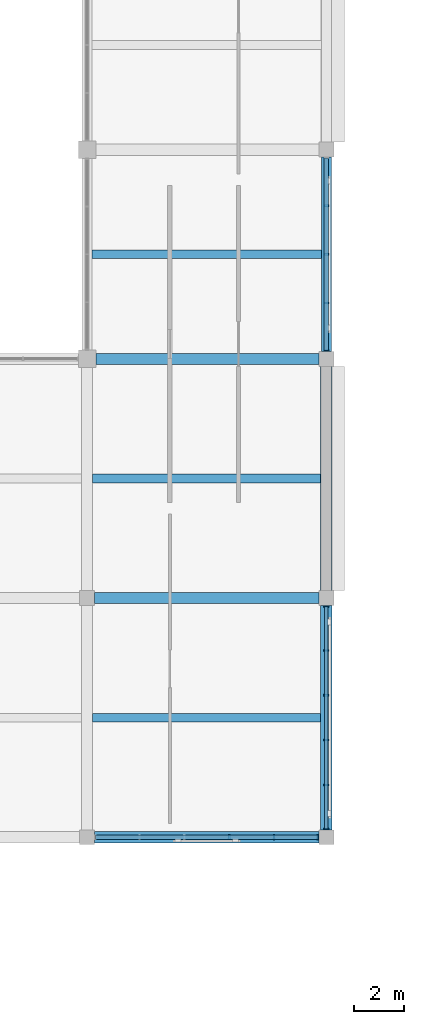
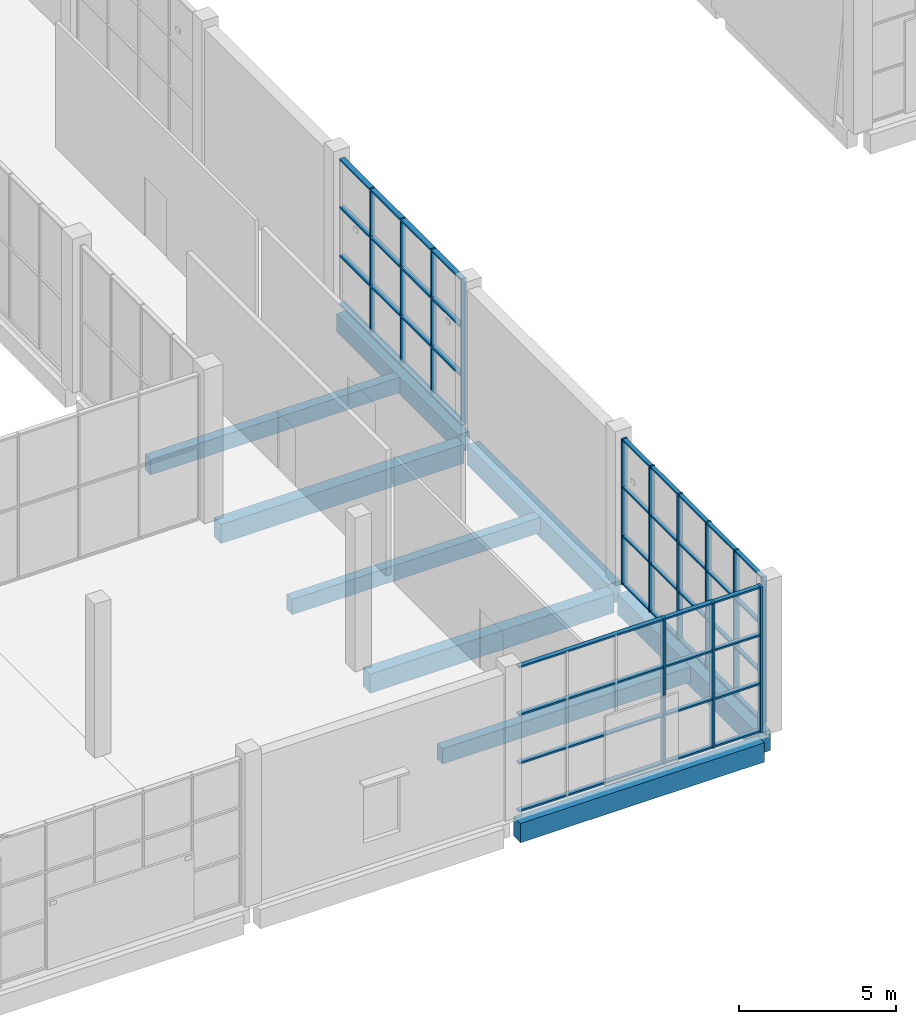
# One storey, part 21 of 84: 25 members, 9 beams, 3 elements without a shape of their own.
"""IFC4 building model written with IfcOpenShell, lengths in metres."""

from ifc_helpers import new_model, si_unit, direction, frame, origin, origin_2d, place, context, subcontext, project, spatial, rectangle, extrude, material, material_profile, profile_set, type_object, element, aggregate, save


model = new_model("IFC4")

# Units and contexts
model_context = context("Model", 3, precision=1e-05, world=origin(), true_north=direction((0.0, 1.0)))
body_context = subcontext(model_context, "Body", "Model", "MODEL_VIEW")
ifc_project = project(units=[si_unit("LENGTHUNIT", "METRE"), si_unit("AREAUNIT", "SQUARE_METRE"), si_unit("VOLUMEUNIT", "CUBIC_METRE"), si_unit("PLANEANGLEUNIT", "RADIAN"), si_unit("MASSUNIT", "GRAM", prefix="KILO")], contexts=[model_context])

# Site, building, storey
site_placement = place(None, origin())
site = spatial("IfcSite", under=ifc_project, at=site_placement, CompositionType="ELEMENT")
building_placement = place(site_placement, origin())
building = spatial("IfcBuilding", under=site, at=building_placement, Name="Shalvenor Court Art Gallery", CompositionType="ELEMENT")
storey_placement = place(building_placement, origin())
storey = spatial("IfcBuildingStorey", under=building, at=storey_placement, Name="L00", CompositionType="ELEMENT", Elevation=0.0)

# Beams
ifc_material_1 = material(Name="Concrete C40/50", Category="concrete")
ifc_material_profile_1 = material_profile(ifc_material_1, rectangle(XDim=0.449951171875, YDim=0.800048828125, at=origin_2d()), Name="RC 450x800")
ifc_profile_set_1 = profile_set([ifc_material_profile_1], Name="Concrete C40/50")
beam_type_1 = type_object("IfcBeamType", Name="B-03", PredefinedType="BEAM", material=ifc_profile_set_1)
for number, where, z_axis, x_axis, name in (
    (1, (38.39990234375, 69.89990234375, -0.739990234375), (0.0, 1.0, 0.0), (-1.0, 0.0, 0.0), "L00 Girder BM-L00-B-03-0035"),
    (2, (38.39990234375, 79.5, -0.739990234375), (0.0, 1.0, 0.0), (-1.0, 0.0, 0.0), "L00 Girder BM-L00-B-03-0036"),
):
    element("IfcBeam", number, at=place(storey_placement, frame(where, z_axis=z_axis, x_axis=x_axis)), inside=storey, type_object=beam_type_1, Name=name, PredefinedType="BEAM", context=body_context, shape_type="SweptSolid", body=[
        extrude(rectangle(XDim=0.449951171875, YDim=0.800048828125, at=origin_2d()), origin(), (0.0, 0.0, 1.0), 9.0),
    ])
ifc_material_2 = material(Name="Concrete C40/50", Category="concrete")
ifc_material_profile_2 = material_profile(ifc_material_2, rectangle(XDim=0.449951171875, YDim=0.75, at=origin_2d()), Name="RC 450x750")
ifc_profile_set_2 = profile_set([ifc_material_profile_2], Name="Concrete C40/50")
beam_type_2 = type_object("IfcBeamType", Name="B-04", PredefinedType="BEAM", material=ifc_profile_set_2)
for number, where, z_axis, x_axis, name in (
    (3, (29.10009765625, 69.60009765625, -0.715087890625), (1.0, 0.0, 0.0), (0.0, 1.0, 0.0), "L00 Girder BM-L00-B-04-0214"),
    (4, (29.10009765625, 79.199951171875, -0.715087890625), (1.0, 0.0, 0.0), (0.0, 1.0, 0.0), "L00 Girder BM-L00-B-04-0222"),
):
    element("IfcBeam", number, at=place(storey_placement, frame(where, z_axis=z_axis, x_axis=x_axis)), inside=storey, type_object=beam_type_2, Name=name, PredefinedType="BEAM", context=body_context, shape_type="SweptSolid", body=[
        extrude(rectangle(XDim=0.449951171875, YDim=0.75, at=origin_2d()), origin(), (0.0, 0.0, 1.0), 9.0),
    ])
beam_1_placement = place(storey_placement, frame((29.14990234375, 88.800048828125, -0.715087890625), z_axis=(1.0, 0.0, 0.0), x_axis=(0.0, 1.0, 0.0)))
element("IfcBeam", 5, at=beam_1_placement, inside=storey, type_object=beam_type_2, Name="L00 Girder BM-L00-B-04-0231", PredefinedType="BEAM", context=body_context, shape_type="SweptSolid", body=[
    extrude(rectangle(XDim=0.449951171875, YDim=0.75, at=origin_2d()), origin(), (0.0, 0.0, 1.0), 8.9501953125),
])
ifc_material_3 = material(Name="Concrete C40/50", Category="concrete")
ifc_material_profile_3 = material_profile(ifc_material_3, rectangle(XDim=0.39990234375, YDim=0.699951171875, at=origin_2d()), Name="RC 400x700")
ifc_profile_set_3 = profile_set([ifc_material_profile_3], Name="Concrete C40/50")
beam_type_3 = type_object("IfcBeamType", Name="B-05", PredefinedType="BEAM", material=ifc_profile_set_3)
beam_2_placement = place(storey_placement, frame((38.39990234375, 89.10009765625, -0.68994140625), z_axis=(0.0, 1.0, 0.0), x_axis=(-1.0, 0.0, 0.0)))
element("IfcBeam", 6, at=beam_2_placement, inside=storey, type_object=beam_type_3, Name="L00 Girder BM-L00-B-05-0037", PredefinedType="BEAM", context=body_context, shape_type="SweptSolid", body=[
    extrude(rectangle(XDim=0.39990234375, YDim=0.699951171875, at=origin_2d()), origin(), (0.0, 0.0, 1.0), 7.7998046875),
])

# Curtain wall, members
ifc_material_4 = material(Name="Anodised aluminium and low-iron glass curtain wall", Category="aluminium")
curtain_wall_type_1 = type_object("IfcCurtainWallType", Name="CW-4x3-78-57-141", PredefinedType="USERDEFINED", material=ifc_material_4)
curtain_wall_1_placement = place(storey_placement, origin())
curtain_wall_1 = element("IfcCurtainWall", 7, at=curtain_wall_1_placement, inside=storey, type_object=curtain_wall_type_1, Name="L00 V5 Curtain Wall CW-L00-152", ObjectType="CURTAIN WALL", PredefinedType="USERDEFINED")
ifc_material_5 = material(Name="Anodised aluminium mullion", Category="aluminium")
ifc_material_profile_4 = material_profile(ifc_material_5, rectangle(XDim=0.06494140625, YDim=0.179931640625, at=origin_2d()), Name="CWM-01")
ifc_profile_set_4 = profile_set([ifc_material_profile_4], Name="Anodised aluminium mullion")
member_type_1 = type_object("IfcMemberType", Name="CWM-01", PredefinedType="MULLION", material=ifc_profile_set_4)
member_1_placement = place(storey_placement, frame((38.39990234375, 94.949951171875, 0.0), z_axis=(0.0, 0.0, 1.0), x_axis=(0.0, -1.0, 0.0)))
member_1 = element("IfcMember", 8, at=member_1_placement, type_object=member_type_1, Name="CW-4x3-78-57-141 mullion 2", PredefinedType="MULLION", context=body_context, shape_type="SweptSolid", body=[
    extrude(rectangle(XDim=0.06494140625, YDim=0.179931640625, at=origin_2d()), origin(), (0.0, 0.0, 1.0), 5.679931640625),
])
member_2_placement = place(storey_placement, frame((38.39990234375, 93.0, 0.0), z_axis=(0.0, 0.0, 1.0), x_axis=(0.0, -1.0, 0.0)))
member_2 = element("IfcMember", 9, at=member_2_placement, type_object=member_type_1, Name="CW-4x3-78-57-141 mullion 3", PredefinedType="MULLION", context=body_context, shape_type="SweptSolid", body=[
    extrude(rectangle(XDim=0.06494140625, YDim=0.179931640625, at=origin_2d()), origin(), (0.0, 0.0, 1.0), 5.679931640625),
])
member_3_placement = place(storey_placement, frame((38.39990234375, 91.050048828125, 0.0), z_axis=(0.0, 0.0, 1.0), x_axis=(0.0, -1.0, 0.0)))
member_3 = element("IfcMember", 10, at=member_3_placement, type_object=member_type_1, Name="CW-4x3-78-57-141 mullion 4", PredefinedType="MULLION", context=body_context, shape_type="SweptSolid", body=[
    extrude(rectangle(XDim=0.06494140625, YDim=0.179931640625, at=origin_2d()), origin(), (0.0, 0.0, 1.0), 5.679931640625),
])
member_4_placement = place(storey_placement, frame((38.39990234375, 89.132568359375, 0.0), z_axis=(0.0, 0.0, 1.0), x_axis=(0.0, -1.0, 0.0)))
member_4 = element("IfcMember", 11, at=member_4_placement, type_object=member_type_1, Name="CW-4x3-78-57-141 mullion 5", PredefinedType="MULLION", context=body_context, shape_type="SweptSolid", body=[
    extrude(rectangle(XDim=0.06494140625, YDim=0.179931640625, at=origin_2d()), origin(), (0.0, 0.0, 1.0), 5.679931640625),
])

ifc_material_6 = material(Name="Anodised aluminium and low-iron glass curtain wall", Category="aluminium")
curtain_wall_type_2 = type_object("IfcCurtainWallType", Name="CW-5x3-90-57-211", PredefinedType="USERDEFINED", material=ifc_material_6)
curtain_wall_2_placement = place(storey_placement, origin())
curtain_wall_2 = element("IfcCurtainWall", 12, at=curtain_wall_2_placement, inside=storey, type_object=curtain_wall_type_2, Name="L00 V5 Curtain Wall CW-L00-153", ObjectType="CURTAIN WALL", PredefinedType="USERDEFINED")
ifc_material_7 = material(Name="Anodised aluminium mullion", Category="aluminium")
ifc_material_profile_5 = material_profile(ifc_material_7, rectangle(XDim=0.070068359375, YDim=0.199951171875, at=origin_2d()), Name="CWM-02")
ifc_profile_set_5 = profile_set([ifc_material_profile_5], Name="Anodised aluminium mullion")
member_type_2 = type_object("IfcMemberType", Name="CWM-02", PredefinedType="MULLION", material=ifc_profile_set_5)
member_5_placement = place(storey_placement, frame((38.39990234375, 78.864990234375, 0.0), z_axis=(0.0, 0.0, 1.0), x_axis=(0.0, -1.0, 0.0)))
member_5 = element("IfcMember", 13, at=member_5_placement, type_object=member_type_2, Name="CW-5x3-90-57-211 mullion 1", PredefinedType="MULLION", context=body_context, shape_type="SweptSolid", body=[
    extrude(rectangle(XDim=0.070068359375, YDim=0.199951171875, at=origin_2d()), origin(), (0.0, 0.0, 1.0), 5.679931640625),
])
member_6_placement = place(storey_placement, frame((38.39990234375, 77.10009765625, 0.0), z_axis=(0.0, 0.0, 1.0), x_axis=(0.0, -1.0, 0.0)))
member_6 = element("IfcMember", 14, at=member_6_placement, type_object=member_type_2, Name="CW-5x3-90-57-211 mullion 2", PredefinedType="MULLION", context=body_context, shape_type="SweptSolid", body=[
    extrude(rectangle(XDim=0.070068359375, YDim=0.199951171875, at=origin_2d()), origin(), (0.0, 0.0, 1.0), 5.679931640625),
])
member_7_placement = place(storey_placement, frame((38.39990234375, 75.300048828125, 0.0), z_axis=(0.0, 0.0, 1.0), x_axis=(0.0, -1.0, 0.0)))
member_7 = element("IfcMember", 15, at=member_7_placement, type_object=member_type_2, Name="CW-5x3-90-57-211 mullion 3", PredefinedType="MULLION", context=body_context, shape_type="SweptSolid", body=[
    extrude(rectangle(XDim=0.070068359375, YDim=0.199951171875, at=origin_2d()), origin(), (0.0, 0.0, 1.0), 5.679931640625),
])
member_8_placement = place(storey_placement, frame((38.39990234375, 73.5, 0.0), z_axis=(0.0, 0.0, 1.0), x_axis=(0.0, -1.0, 0.0)))
member_8 = element("IfcMember", 16, at=member_8_placement, type_object=member_type_2, Name="CW-5x3-90-57-211 mullion 4", PredefinedType="MULLION", context=body_context, shape_type="SweptSolid", body=[
    extrude(rectangle(XDim=0.070068359375, YDim=0.199951171875, at=origin_2d()), origin(), (0.0, 0.0, 1.0), 5.679931640625),
])
member_9_placement = place(storey_placement, frame((38.39990234375, 71.699951171875, 0.0), z_axis=(0.0, 0.0, 1.0), x_axis=(0.0, -1.0, 0.0)))
member_9 = element("IfcMember", 17, at=member_9_placement, type_object=member_type_2, Name="CW-5x3-90-57-211 mullion 5", PredefinedType="MULLION", context=body_context, shape_type="SweptSolid", body=[
    extrude(rectangle(XDim=0.070068359375, YDim=0.199951171875, at=origin_2d()), origin(), (0.0, 0.0, 1.0), 5.679931640625),
])
member_10_placement = place(storey_placement, frame((38.39990234375, 69.93505859375, 0.0), z_axis=(0.0, 0.0, 1.0), x_axis=(0.0, -1.0, 0.0)))
member_10 = element("IfcMember", 18, at=member_10_placement, type_object=member_type_2, Name="CW-5x3-90-57-211 mullion 6", PredefinedType="MULLION", context=body_context, shape_type="SweptSolid", body=[
    extrude(rectangle(XDim=0.070068359375, YDim=0.199951171875, at=origin_2d()), origin(), (0.0, 0.0, 1.0), 5.679931640625),
])

ifc_material_8 = material(Name="Anodised aluminium and low-iron glass curtain wall", Category="aluminium")
curtain_wall_type_3 = type_object("IfcCurtainWallType", Name="CW-5x3-90-57-421", PredefinedType="USERDEFINED", material=ifc_material_8)
curtain_wall_3_placement = place(storey_placement, origin())
curtain_wall_3 = element("IfcCurtainWall", 19, at=curtain_wall_3_placement, inside=storey, type_object=curtain_wall_type_3, Name="L00 V5 Curtain Wall CW-L00-154", ObjectType="CURTAIN WALL", PredefinedType="USERDEFINED")
ifc_material_9 = material(Name="Anodised aluminium mullion", Category="aluminium")
ifc_material_profile_6 = material_profile(ifc_material_9, rectangle(XDim=0.074951171875, YDim=0.219970703125, at=origin_2d()), Name="CWM-04")
ifc_profile_set_6 = profile_set([ifc_material_profile_6], Name="Anodised aluminium mullion")
member_type_3 = type_object("IfcMemberType", Name="CWM-04", PredefinedType="MULLION", material=ifc_profile_set_6)
member_11_placement = place(storey_placement, frame((38.0625, 69.60009765625, 0.0), z_axis=(0.0, 0.0, 1.0), x_axis=(-1.0, 0.0, 0.0)))
member_11 = element("IfcMember", 20, at=member_11_placement, type_object=member_type_3, Name="CW-5x3-90-57-421 mullion 1", PredefinedType="MULLION", context=body_context, shape_type="SweptSolid", body=[
    extrude(rectangle(XDim=0.074951171875, YDim=0.219970703125, at=origin_2d()), origin(), (0.0, 0.0, 1.0), 5.679931640625),
])
member_12_placement = place(storey_placement, frame((36.300048828125, 69.60009765625, 0.0), z_axis=(0.0, 0.0, 1.0), x_axis=(-1.0, 0.0, 0.0)))
member_12 = element("IfcMember", 21, at=member_12_placement, type_object=member_type_3, Name="CW-5x3-90-57-421 mullion 2", PredefinedType="MULLION", context=body_context, shape_type="SweptSolid", body=[
    extrude(rectangle(XDim=0.074951171875, YDim=0.219970703125, at=origin_2d()), origin(), (0.0, 0.0, 1.0), 5.679931640625),
])
member_13_placement = place(storey_placement, frame((34.5, 69.60009765625, 0.0), z_axis=(0.0, 0.0, 1.0), x_axis=(-1.0, 0.0, 0.0)))
member_13 = element("IfcMember", 22, at=member_13_placement, type_object=member_type_3, Name="CW-5x3-90-57-421 mullion 3", PredefinedType="MULLION", context=body_context, shape_type="SweptSolid", body=[
    extrude(rectangle(XDim=0.074951171875, YDim=0.219970703125, at=origin_2d()), origin(), (0.0, 0.0, 1.0), 5.679931640625),
])

# Member
ifc_material_10 = material(Name="Anodised aluminium transom", Category="aluminium")
ifc_material_profile_7 = material_profile(ifc_material_10, rectangle(XDim=0.14990234375, YDim=0.06005859375, at=origin_2d()), Name="CWT-01")
ifc_profile_set_7 = profile_set([ifc_material_profile_7], Name="Anodised aluminium transom")
member_type_4 = type_object("IfcMemberType", Name="CWT-01", PredefinedType="USERDEFINED", material=ifc_profile_set_7)
member_14_placement = place(storey_placement, frame((38.39990234375, 78.864990234375, 0.030029296875), z_axis=(0.0, -1.0, 0.0), x_axis=(1.0, 0.0, 0.0)))
member_14 = element("IfcMember", 23, at=member_14_placement, type_object=member_type_4, Name="CW-5x3-90-57-211 transom 1", ObjectType="TRANSOM", PredefinedType="USERDEFINED", context=body_context, shape_type="SweptSolid", body=[
    extrude(rectangle(XDim=0.14990234375, YDim=0.06005859375, at=origin_2d()), origin(), (0.0, 0.0, 1.0), 8.929931640625),
])

member_15_placement = place(storey_placement, frame((38.39990234375, 78.864990234375, 1.893310546875), z_axis=(0.0, -1.0, 0.0), x_axis=(1.0, 0.0, 0.0)))
member_15 = element("IfcMember", 24, at=member_15_placement, type_object=member_type_4, Name="CW-5x3-90-57-211 transom 2", ObjectType="TRANSOM", PredefinedType="USERDEFINED", context=body_context, shape_type="SweptSolid", body=[
    extrude(rectangle(XDim=0.14990234375, YDim=0.06005859375, at=origin_2d()), origin(), (0.0, 0.0, 1.0), 8.929931640625),
])

member_16_placement = place(storey_placement, frame((38.39990234375, 78.864990234375, 3.78662109375), z_axis=(0.0, -1.0, 0.0), x_axis=(1.0, 0.0, 0.0)))
member_16 = element("IfcMember", 25, at=member_16_placement, type_object=member_type_4, Name="CW-5x3-90-57-211 transom 3", ObjectType="TRANSOM", PredefinedType="USERDEFINED", context=body_context, shape_type="SweptSolid", body=[
    extrude(rectangle(XDim=0.14990234375, YDim=0.06005859375, at=origin_2d()), origin(), (0.0, 0.0, 1.0), 8.929931640625),
])

member_17_placement = place(storey_placement, frame((38.39990234375, 78.864990234375, 5.64990234375), z_axis=(0.0, -1.0, 0.0), x_axis=(1.0, 0.0, 0.0)))
member_17 = element("IfcMember", 26, at=member_17_placement, type_object=member_type_4, Name="CW-5x3-90-57-211 transom 4", ObjectType="TRANSOM", PredefinedType="USERDEFINED", context=body_context, shape_type="SweptSolid", body=[
    extrude(rectangle(XDim=0.14990234375, YDim=0.06005859375, at=origin_2d()), origin(), (0.0, 0.0, 1.0), 8.929931640625),
])

aggregate(curtain_wall_2, [member_5, member_6, member_7, member_8, member_9, member_10, member_14, member_15, member_16, member_17])

ifc_material_11 = material(Name="Anodised aluminium transom", Category="aluminium")
ifc_material_profile_8 = material_profile(ifc_material_11, rectangle(XDim=0.169921875, YDim=0.06494140625, at=origin_2d()), Name="CWT-02")
ifc_profile_set_8 = profile_set([ifc_material_profile_8], Name="Anodised aluminium transom")
member_type_5 = type_object("IfcMemberType", Name="CWT-02", PredefinedType="USERDEFINED", material=ifc_profile_set_8)
member_18_placement = place(storey_placement, frame((38.0625, 69.60009765625, 0.032470703125), z_axis=(-1.0, 0.0, 0.0), x_axis=(0.0, -1.0, 0.0)))
member_18 = element("IfcMember", 27, at=member_18_placement, type_object=member_type_5, Name="CW-5x3-90-57-421 transom 1", ObjectType="TRANSOM", PredefinedType="USERDEFINED", context=body_context, shape_type="SweptSolid", body=[
    extrude(rectangle(XDim=0.169921875, YDim=0.06494140625, at=origin_2d()), origin(), (0.0, 0.0, 1.0), 8.925048828125),
])

member_19_placement = place(storey_placement, frame((38.0625, 69.60009765625, 1.893310546875), z_axis=(-1.0, 0.0, 0.0), x_axis=(0.0, -1.0, 0.0)))
member_19 = element("IfcMember", 28, at=member_19_placement, type_object=member_type_5, Name="CW-5x3-90-57-421 transom 2", ObjectType="TRANSOM", PredefinedType="USERDEFINED", context=body_context, shape_type="SweptSolid", body=[
    extrude(rectangle(XDim=0.169921875, YDim=0.06494140625, at=origin_2d()), origin(), (0.0, 0.0, 1.0), 8.925048828125),
])

member_20_placement = place(storey_placement, frame((38.0625, 69.60009765625, 3.78662109375), z_axis=(-1.0, 0.0, 0.0), x_axis=(0.0, -1.0, 0.0)))
member_20 = element("IfcMember", 29, at=member_20_placement, type_object=member_type_5, Name="CW-5x3-90-57-421 transom 3", ObjectType="TRANSOM", PredefinedType="USERDEFINED", context=body_context, shape_type="SweptSolid", body=[
    extrude(rectangle(XDim=0.169921875, YDim=0.06494140625, at=origin_2d()), origin(), (0.0, 0.0, 1.0), 8.925048828125),
])

member_21_placement = place(storey_placement, frame((38.0625, 69.60009765625, 5.6474609375), z_axis=(-1.0, 0.0, 0.0), x_axis=(0.0, -1.0, 0.0)))
member_21 = element("IfcMember", 30, at=member_21_placement, type_object=member_type_5, Name="CW-5x3-90-57-421 transom 4", ObjectType="TRANSOM", PredefinedType="USERDEFINED", context=body_context, shape_type="SweptSolid", body=[
    extrude(rectangle(XDim=0.169921875, YDim=0.06494140625, at=origin_2d()), origin(), (0.0, 0.0, 1.0), 8.925048828125),
])

aggregate(curtain_wall_3, [member_11, member_12, member_13, member_18, member_19, member_20, member_21])

ifc_material_12 = material(Name="Anodised aluminium transom", Category="aluminium")
ifc_material_profile_9 = material_profile(ifc_material_12, rectangle(XDim=0.18994140625, YDim=0.070068359375, at=origin_2d()), Name="CWT-04")
ifc_profile_set_9 = profile_set([ifc_material_profile_9], Name="Anodised aluminium transom")
member_type_6 = type_object("IfcMemberType", Name="CWT-04", PredefinedType="USERDEFINED", material=ifc_profile_set_9)
member_22_placement = place(storey_placement, frame((38.39990234375, 96.867431640625, 0.034912109375), z_axis=(0.0, -1.0, 0.0), x_axis=(1.0, 0.0, 0.0)))
member_22 = element("IfcMember", 31, at=member_22_placement, type_object=member_type_6, Name="CW-4x3-78-57-141 transom 1", ObjectType="TRANSOM", PredefinedType="USERDEFINED", context=body_context, shape_type="SweptSolid", body=[
    extrude(rectangle(XDim=0.18994140625, YDim=0.070068359375, at=origin_2d()), origin(), (0.0, 0.0, 1.0), 7.73486328125),
])

member_23_placement = place(storey_placement, frame((38.39990234375, 96.867431640625, 1.893310546875), z_axis=(0.0, -1.0, 0.0), x_axis=(1.0, 0.0, 0.0)))
member_23 = element("IfcMember", 32, at=member_23_placement, type_object=member_type_6, Name="CW-4x3-78-57-141 transom 2", ObjectType="TRANSOM", PredefinedType="USERDEFINED", context=body_context, shape_type="SweptSolid", body=[
    extrude(rectangle(XDim=0.18994140625, YDim=0.070068359375, at=origin_2d()), origin(), (0.0, 0.0, 1.0), 7.73486328125),
])

member_24_placement = place(storey_placement, frame((38.39990234375, 96.867431640625, 3.78662109375), z_axis=(0.0, -1.0, 0.0), x_axis=(1.0, 0.0, 0.0)))
member_24 = element("IfcMember", 33, at=member_24_placement, type_object=member_type_6, Name="CW-4x3-78-57-141 transom 3", ObjectType="TRANSOM", PredefinedType="USERDEFINED", context=body_context, shape_type="SweptSolid", body=[
    extrude(rectangle(XDim=0.18994140625, YDim=0.070068359375, at=origin_2d()), origin(), (0.0, 0.0, 1.0), 7.73486328125),
])

member_25_placement = place(storey_placement, frame((38.39990234375, 96.867431640625, 5.64501953125), z_axis=(0.0, -1.0, 0.0), x_axis=(1.0, 0.0, 0.0)))
member_25 = element("IfcMember", 34, at=member_25_placement, type_object=member_type_6, Name="CW-4x3-78-57-141 transom 4", ObjectType="TRANSOM", PredefinedType="USERDEFINED", context=body_context, shape_type="SweptSolid", body=[
    extrude(rectangle(XDim=0.18994140625, YDim=0.070068359375, at=origin_2d()), origin(), (0.0, 0.0, 1.0), 7.73486328125),
])

aggregate(curtain_wall_1, [member_1, member_2, member_3, member_4, member_22, member_23, member_24, member_25])

# Beams
ifc_material_13 = material(Name="Concrete C40/50", Category="concrete")
ifc_material_profile_10 = material_profile(ifc_material_13, rectangle(XDim=0.35009765625, YDim=0.60009765625, at=origin_2d()), Name="RC 350x600")
ifc_profile_set_10 = profile_set([ifc_material_profile_10], Name="Concrete C40/50")
beam_type_4 = type_object("IfcBeamType", Name="J-01", PredefinedType="JOIST", material=ifc_profile_set_10)
for number, where, z_axis, x_axis, name in (
    (35, (29.02490234375, 74.39990234375, -0.639892578125), (1.0, 0.0, 0.0), (0.0, 1.0, 0.0), "L00 Secondary Beam JST-L00-J-01-0296"),
    (36, (29.02490234375, 84.0, -0.639892578125), (1.0, 0.0, 0.0), (0.0, 1.0, 0.0), "L00 Secondary Beam JST-L00-J-01-0297"),
):
    element("IfcBeam", number, at=place(storey_placement, frame(where, z_axis=z_axis, x_axis=x_axis)), inside=storey, type_object=beam_type_4, Name=name, PredefinedType="JOIST", context=body_context, shape_type="SweptSolid", body=[
        extrude(rectangle(XDim=0.35009765625, YDim=0.60009765625, at=origin_2d()), origin(), (0.0, 0.0, 1.0), 9.150146484375),
    ])
beam_3_placement = place(storey_placement, frame((29.0, 93.0, -0.639892578125), z_axis=(1.0, 0.0, 0.0), x_axis=(0.0, 1.0, 0.0)))
element("IfcBeam", 37, at=beam_3_placement, inside=storey, type_object=beam_type_4, Name="L00 Secondary Beam JST-L00-J-01-0298", PredefinedType="JOIST", context=body_context, shape_type="SweptSolid", body=[
    extrude(rectangle(XDim=0.35009765625, YDim=0.60009765625, at=origin_2d()), origin(), (0.0, 0.0, 1.0), 9.199951171875),
])

save(model, "model.ifc")
